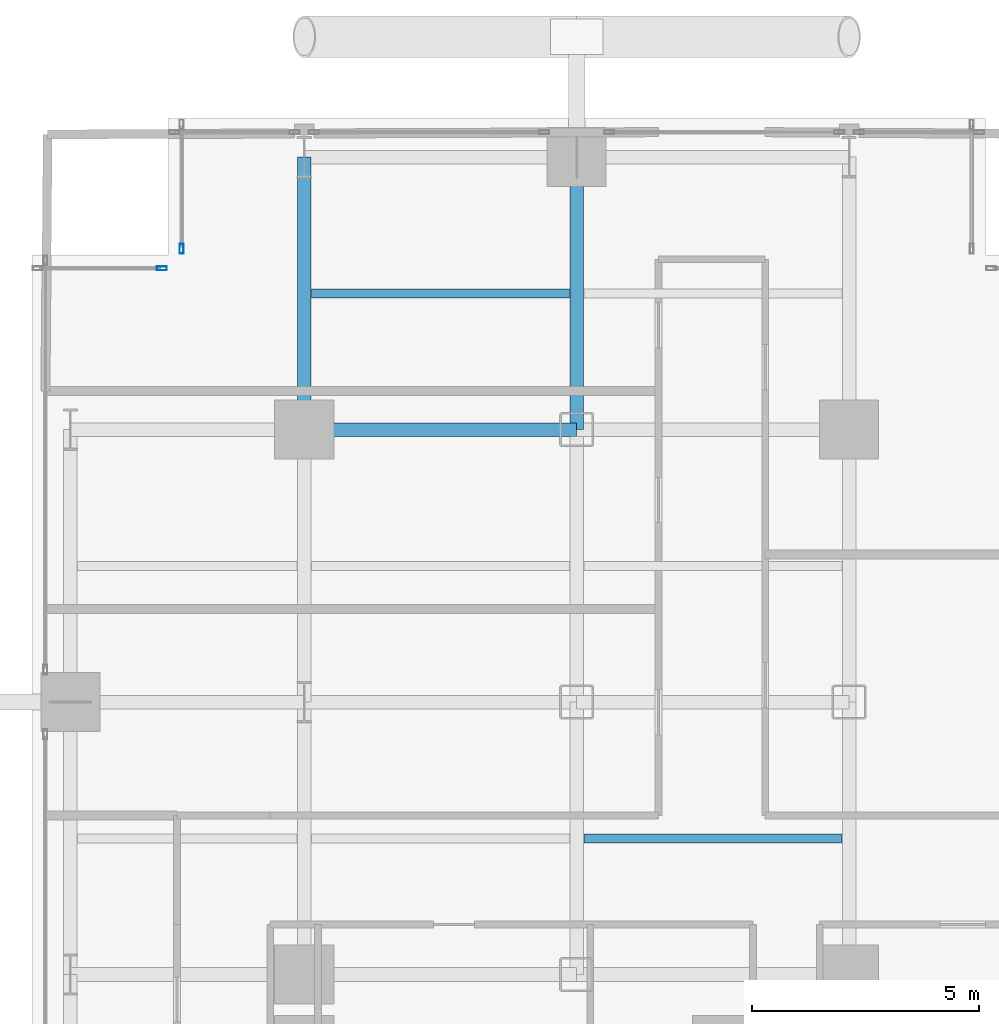
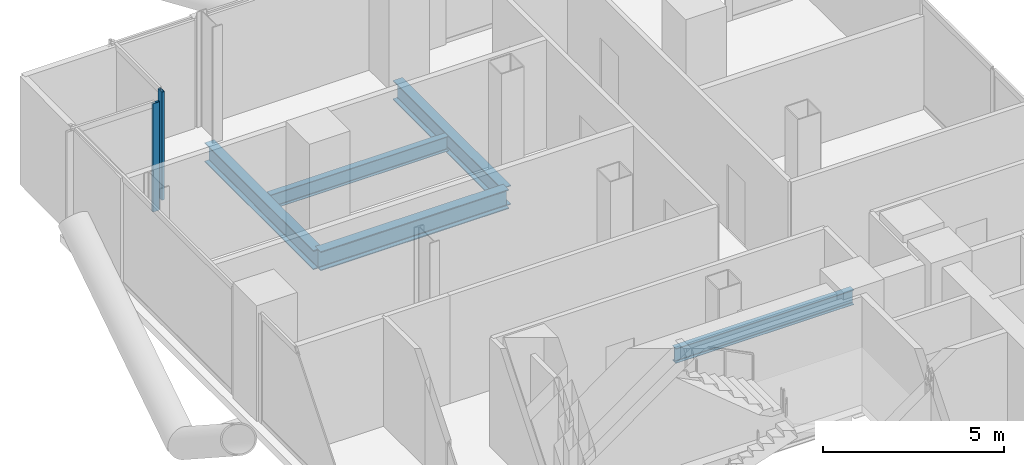
# One storey, part 14 of 25: 5 beams, 2 members, 2 elements without a shape of their own.
"""IFC4 building model written with IfcOpenShell, lengths in metres."""

from ifc_helpers import new_model, si_unit, direction, frame, origin, origin_2d, place, context, subcontext, project, spatial, hollow_rectangle, i_section, extrude, material, layer, layer_set, material_profile, profile_set, type_object, element, aggregate, save


model = new_model("IFC4")

# Units and contexts
model_context = context("Model", 3, precision=1e-05, world=origin(), true_north=direction((0.0, 1.0)))
body_context = subcontext(model_context, "Body", "Model", "MODEL_VIEW")
ifc_project = project(units=[si_unit("LENGTHUNIT", "METRE"), si_unit("AREAUNIT", "SQUARE_METRE"), si_unit("VOLUMEUNIT", "CUBIC_METRE"), si_unit("PLANEANGLEUNIT", "RADIAN"), si_unit("MASSUNIT", "GRAM", prefix="KILO"), si_unit("THERMODYNAMICTEMPERATUREUNIT", "KELVIN"), si_unit("POWERUNIT", "WATT")], contexts=[model_context])

# Site, building, storey
site_placement = place(None, origin())
site = spatial("IfcSite", under=ifc_project, at=site_placement, CompositionType="ELEMENT")
building_placement = place(site_placement, origin())
building = spatial("IfcBuilding", under=site, at=building_placement, Name="Svarakhadi Broadcast Tower", CompositionType="ELEMENT")
storey_placement = place(building_placement, frame((0.0, 0.0, 67.5)))
storey = spatial("IfcBuildingStorey", under=building, at=storey_placement, Name="L15", CompositionType="ELEMENT", Elevation=67.5)

# Beams
ifc_material_1 = material(Name="Steel S355J2 (IS 2062 E350C)", Category="steel")
ifc_material_profile_1 = material_profile(ifc_material_1, i_section(OverallWidth=0.199951171875, OverallDepth=0.5, WebThickness=0.01025390625, FlangeThickness=0.01611328125, FilletRadius=0.02099609375, at=origin_2d()), Name="NPB 500x200x91")
ifc_profile_set_1 = profile_set([ifc_material_profile_1], Name="Steel S355J2 (IS 2062 E350C)")
beam_type_1 = type_object("IfcBeamType", Name="Beam_NPB500", PredefinedType="BEAM", material=ifc_profile_set_1)
for number, where, z_axis, x_axis, name in (
    (1, (6.159912109375, 44.14990234375, -0.5), (1.0, 0.0, 0.0), (0.0, 1.0, 0.0), "L15 Secondary Composite Beam SB012"),
    (2, (12.159912109375, 32.14990234375, -0.5), (1.0, 0.0, 0.0), (0.0, 1.0, 0.0), "L15 Secondary Composite Beam SB016"),
):
    element("IfcBeam", number, at=place(storey_placement, frame(where, z_axis=z_axis, x_axis=x_axis)), inside=storey, type_object=beam_type_1, Name=name, PredefinedType="BEAM", context=body_context, shape_type="SweptSolid", body=[
        extrude(i_section(OverallWidth=0.199951171875, OverallDepth=0.5, WebThickness=0.01025390625, FlangeThickness=0.01611328125, FilletRadius=0.02099609375, at=origin_2d()), origin(), (0.0, 0.0, 1.0), 5.68017578125),
    ])

# Curtain wall, member
ifc_material_2 = material(Name="Anodised Bronze Aluminium AA 6063-T6", Category="aluminium")
ifc_layer = layer(ifc_material_2, 0.219970703125)
ifc_layer_set = layer_set([ifc_layer], Name="Anodised Bronze Aluminium AA 6063-T6")
curtain_wall_type = type_object("IfcCurtainWallType", Name="CW_Sys_02", PredefinedType="NOTDEFINED", material=ifc_layer_set)
curtain_wall_1_placement = place(storey_placement, origin())
curtain_wall_1 = element("IfcCurtainWall", 3, at=curtain_wall_1_placement, inside=storey, type_object=curtain_wall_type, Name="L15 Unitised Facade Curtain Wall 04", PredefinedType="NOTDEFINED")
ifc_material_profile_2 = material_profile(ifc_material_2, hollow_rectangle(XDim=0.0849609375, YDim=0.219970703125, WallThickness=0.006103515625, at=origin_2d()), Name="ALU MULLION 220x85x6")
ifc_profile_set_2 = profile_set([ifc_material_profile_2], Name="Anodised Bronze Aluminium AA 6063-T6")
member_type = type_object("IfcMemberType", Name="CW_Sys_02_Mul", PredefinedType="MULLION", material=ifc_profile_set_2)
member_1_placement = place(storey_placement, frame((2.867431640625, 44.699951171875, 0.0), z_axis=(0.0, 0.0, 1.0), x_axis=(0.0, 1.0, 0.0)))
member_1 = element("IfcMember", 4, at=member_1_placement, type_object=member_type, Name="CW-02 mullion 2", PredefinedType="MULLION", context=body_context, shape_type="SweptSolid", body=[
    extrude(hollow_rectangle(XDim=0.0849609375, YDim=0.219970703125, WallThickness=0.006103515625, at=origin_2d()), origin(), (0.0, 0.0, 1.0), 3.64990234375),
])
aggregate(curtain_wall_1, [member_1])

curtain_wall_2_placement = place(storey_placement, origin())
curtain_wall_2 = element("IfcCurtainWall", 5, at=curtain_wall_2_placement, inside=storey, type_object=curtain_wall_type, Name="L15 Unitised Facade Curtain Wall 05", PredefinedType="NOTDEFINED")
member_2_placement = place(storey_placement, frame((3.300048828125, 45.132568359375, 0.0), z_axis=(0.0, 0.0, 1.0), x_axis=(-1.0, 0.0, 0.0)))
member_2 = element("IfcMember", 6, at=member_2_placement, type_object=member_type, Name="CW-02 mullion 1", PredefinedType="MULLION", context=body_context, shape_type="SweptSolid", body=[
    extrude(hollow_rectangle(XDim=0.0849609375, YDim=0.219970703125, WallThickness=0.006103515625, at=origin_2d()), origin(), (0.0, 0.0, 1.0), 3.64990234375),
])
aggregate(curtain_wall_2, [member_2])

# Beams
ifc_material_profile_3 = material_profile(ifc_material_1, i_section(OverallWidth=0.300048828125, OverallDepth=0.64990234375, WebThickness=0.01611328125, FlangeThickness=0.031005859375, FilletRadius=0.027099609375, at=origin_2d()), Name="WPB 650x300x225")
ifc_profile_set_3 = profile_set([ifc_material_profile_3], Name="Steel S355J2 (IS 2062 E350C)")
beam_type_2 = type_object("IfcBeamType", Name="Girder_WPB650", PredefinedType="USERDEFINED", material=ifc_profile_set_3)
for number, where, z_axis, x_axis, name in (
    (7, (6.0, 41.14990234375, -0.574951171875), (1.0, 0.0, 0.0), (0.0, 1.0, 0.0), "L15 Primary E-W Girder G041"),
    (8, (6.0, 41.14990234375, -0.574951171875), (0.0, 1.0, 0.0), (-1.0, 0.0, 0.0), "L15 Primary N-S Girder G057"),
    (9, (12.0, 41.14990234375, -0.574951171875), (0.0, 1.0, 0.0), (-1.0, 0.0, 0.0), "L15 Primary N-S Girder G063"),
):
    element("IfcBeam", number, at=place(storey_placement, frame(where, z_axis=z_axis, x_axis=x_axis)), inside=storey, type_object=beam_type_2, Name=name, ObjectType="GIRDER", PredefinedType="USERDEFINED", context=body_context, shape_type="SweptSolid", body=[
        extrude(i_section(OverallWidth=0.300048828125, OverallDepth=0.64990234375, WebThickness=0.01611328125, FlangeThickness=0.031005859375, FilletRadius=0.027099609375, at=origin_2d()), origin(), (0.0, 0.0, 1.0), 6.0),
    ])

save(model, "model.ifc")
